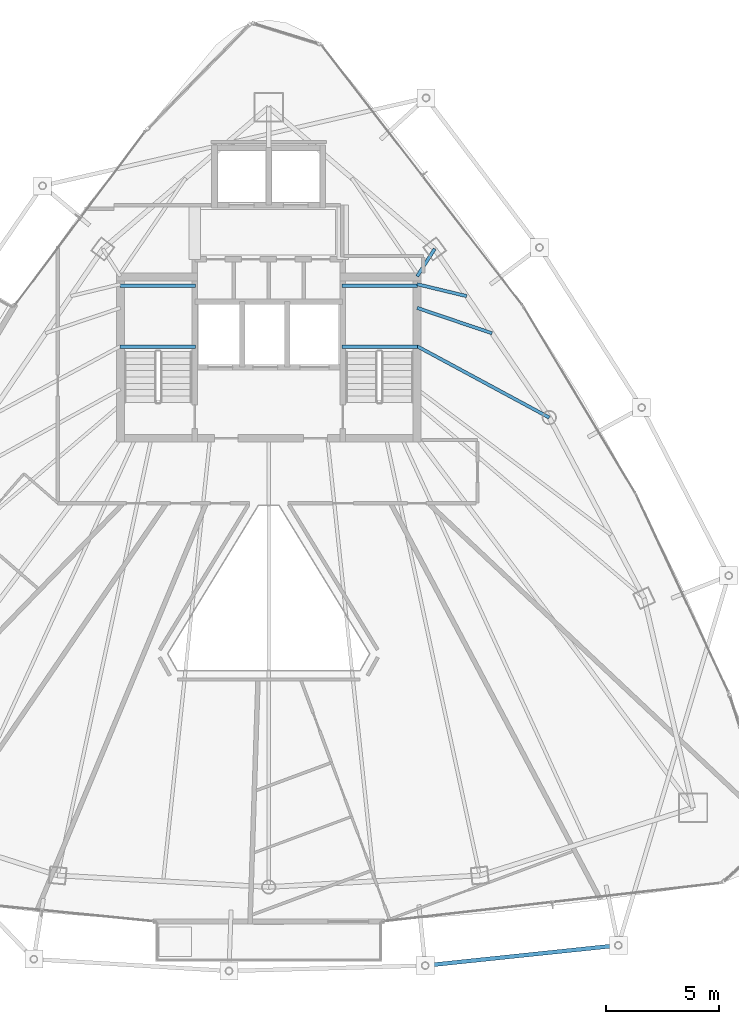
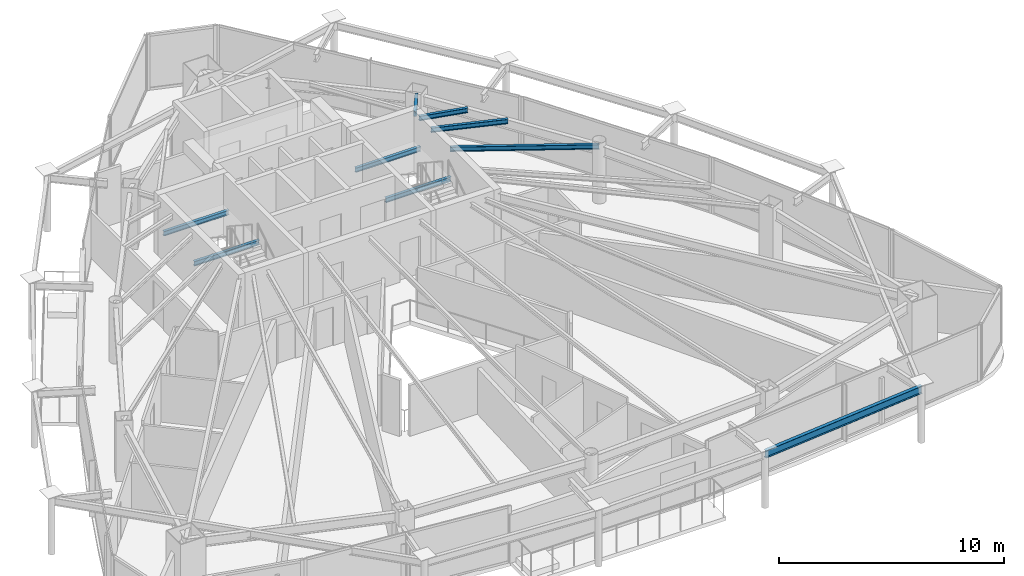
# One storey, part 13 of 29: 9 beams.
"""IFC4 building model written with IfcOpenShell, lengths in metres."""

from ifc_helpers import new_model, si_unit, direction, frame, origin, origin_2d, place, context, subcontext, project, spatial, i_section, extrude, material, material_profile, profile_set, type_object, element, save


model = new_model("IFC4")

# Units and contexts
model_context = context("Model", 3, precision=1e-05, world=origin(), true_north=direction((0.0, 1.0)))
body_context = subcontext(model_context, "Body", "Model", "MODEL_VIEW")
ifc_project = project(units=[si_unit("LENGTHUNIT", "METRE"), si_unit("AREAUNIT", "SQUARE_METRE"), si_unit("VOLUMEUNIT", "CUBIC_METRE"), si_unit("PLANEANGLEUNIT", "RADIAN"), si_unit("MASSUNIT", "GRAM", prefix="KILO")], contexts=[model_context])

# Site, building, storey
site_placement = place(None, origin())
site = spatial("IfcSite", under=ifc_project, at=site_placement, CompositionType="ELEMENT")
building_placement = place(site_placement, origin())
building = spatial("IfcBuilding", under=site, at=building_placement, Name="Orvanel Arch Residences", CompositionType="ELEMENT")
storey_placement = place(building_placement, frame((0.0, 0.0, 246.949951171875)))
storey = spatial("IfcBuildingStorey", under=building, at=storey_placement, Name="L70", CompositionType="ELEMENT", Elevation=246.949951171875)

# Beams
ifc_material = material(Name="Structural steel AS/NZS 3679.1 Grade 300 (300 MPa)", Category="steel")
ifc_material_profile_1 = material_profile(ifc_material, i_section(OverallWidth=0.14599609375, OverallDepth=0.251953125, WebThickness=0.006103515625, FlangeThickness=0.008544921875, at=origin_2d()), Name="250UB31.4")
ifc_profile_set_1 = profile_set([ifc_material_profile_1], Name="Structural steel AS/NZS 3679.1 Grade 300 (300 MPa)")
beam_type_1 = type_object("IfcBeamType", Name="BJ-250UB", PredefinedType="JOIST", material=ifc_profile_set_1)
for number, where, z_axis, x_axis, name in (
    (1, (26.39990234375, 30.780029296875, 1.323974609375), (1.0, 0.0, 0.0), (0.0, 1.0, 0.0), "L70 ST-1 Half-Landing Support Beam 1.1"),
    (2, (26.39990234375, 33.47998046875, 1.323974609375), (1.0, 0.0, 0.0), (0.0, 1.0, 0.0), "L70 ST-1 Half-Landing Support Beam 1.2"),
    (3, (36.25, 30.780029296875, 1.323974609375), (1.0, 0.0, 0.0), (0.0, 1.0, 0.0), "L70 ST-2 Half-Landing Support Beam 1.1"),
    (4, (36.25, 33.47998046875, 1.323974609375), (1.0, 0.0, 0.0), (0.0, 1.0, 0.0), "L70 ST-2 Half-Landing Support Beam 1.2"),
):
    element("IfcBeam", number, at=place(storey_placement, frame(where, z_axis=z_axis, x_axis=x_axis)), inside=storey, type_object=beam_type_1, Name=name, PredefinedType="JOIST", context=body_context, shape_type="SweptSolid", body=[
        extrude(i_section(OverallWidth=0.14599609375, OverallDepth=0.251953125, WebThickness=0.006103515625, FlangeThickness=0.008544921875, at=origin_2d()), origin(), (0.0, 0.0, 1.0), 3.35009765625),
    ])
beam_1_placement = place(storey_placement, frame((39.574951171875, 33.89990234375, 2.93408203125), z_axis=(0.539395075146, 0.842052820735, 0.0), x_axis=(-0.842052820735, 0.539395075146, 0.0)))
element("IfcBeam", 5, at=beam_1_placement, inside=storey, type_object=beam_type_1, Name="L70 NNE Wing Floor Joist", PredefinedType="JOIST", context=body_context, shape_type="SweptSolid", body=[
    extrude(i_section(OverallWidth=0.14599609375, OverallDepth=0.251953125, WebThickness=0.006103515625, FlangeThickness=0.008544921875, at=origin_2d()), origin(), (0.0, 0.0, 1.0), 1.440673828125),
])
beam_2_placement = place(storey_placement, frame((39.574951171875, 30.800048828125, 2.93408203125), z_axis=(0.880111494021, -0.474767056664, 0.0), x_axis=(0.474767056664, 0.880111494021, 0.0)))
element("IfcBeam", 6, at=beam_2_placement, inside=storey, type_object=beam_type_1, Name="L70 NE Wing Floor Joist", PredefinedType="JOIST", context=body_context, shape_type="SweptSolid", body=[
    extrude(i_section(OverallWidth=0.14599609375, OverallDepth=0.251953125, WebThickness=0.006103515625, FlangeThickness=0.008544921875, at=origin_2d()), origin(), (0.0, 0.0, 1.0), 6.653564453125),
])
beam_3_placement = place(storey_placement, frame((39.574951171875, 32.5, 2.93408203125), z_axis=(0.947159269453, -0.320763648641, 0.0), x_axis=(0.320763648641, 0.947159269453, 0.0)))
element("IfcBeam", 7, at=beam_3_placement, inside=storey, type_object=beam_type_1, Name="L70 ENE Wing Floor Joist", PredefinedType="JOIST", context=body_context, shape_type="SweptSolid", body=[
    extrude(i_section(OverallWidth=0.14599609375, OverallDepth=0.251953125, WebThickness=0.006103515625, FlangeThickness=0.008544921875, at=origin_2d()), origin(), (0.0, 0.0, 1.0), 3.501220703125),
])
beam_4_placement = place(storey_placement, frame((39.574951171875, 33.550048828125, 2.93408203125), z_axis=(0.972256833016, -0.23391590509, 0.0), x_axis=(0.23391590509, 0.972256833016, 0.0)))
element("IfcBeam", 8, at=beam_4_placement, inside=storey, type_object=beam_type_1, Name="L70 JADD4 Wing Floor Joist", PredefinedType="JOIST", context=body_context, shape_type="SweptSolid", body=[
    extrude(i_section(OverallWidth=0.14599609375, OverallDepth=0.251953125, WebThickness=0.006103515625, FlangeThickness=0.008544921875, at=origin_2d()), origin(), (0.0, 0.0, 1.0), 2.26171875),
])
ifc_material_profile_2 = material_profile(ifc_material, i_section(OverallWidth=0.177978515625, OverallDepth=0.406005859375, WebThickness=0.0078125, FlangeThickness=0.0126953125, at=origin_2d()), Name="410UB59.7")
ifc_profile_set_2 = profile_set([ifc_material_profile_2], Name="Structural steel AS/NZS 3679.1 Grade 300 (300 MPa)")
beam_type_2 = type_object("IfcBeamType", Name="OB-410UB-EXT", PredefinedType="SPANDREL", material=ifc_profile_set_2)
beam_5_placement = place(storey_placement, frame((39.93408203125, 3.362060546875, 2.85693359375), z_axis=(0.994558828609, 0.104176467763, 0.0), x_axis=(-0.104176467763, 0.994558828609, 0.0)))
element("IfcBeam", 9, at=beam_5_placement, inside=storey, type_object=beam_type_2, Name="L70 Outer Perimeter Floor Ring Beam 07", PredefinedType="SPANDREL", context=body_context, shape_type="SweptSolid", body=[
    extrude(i_section(OverallWidth=0.177978515625, OverallDepth=0.406005859375, WebThickness=0.0078125, FlangeThickness=0.0126953125, at=origin_2d()), origin(), (0.0, 0.0, 1.0), 8.600830078125),
])

save(model, "model.ifc")
